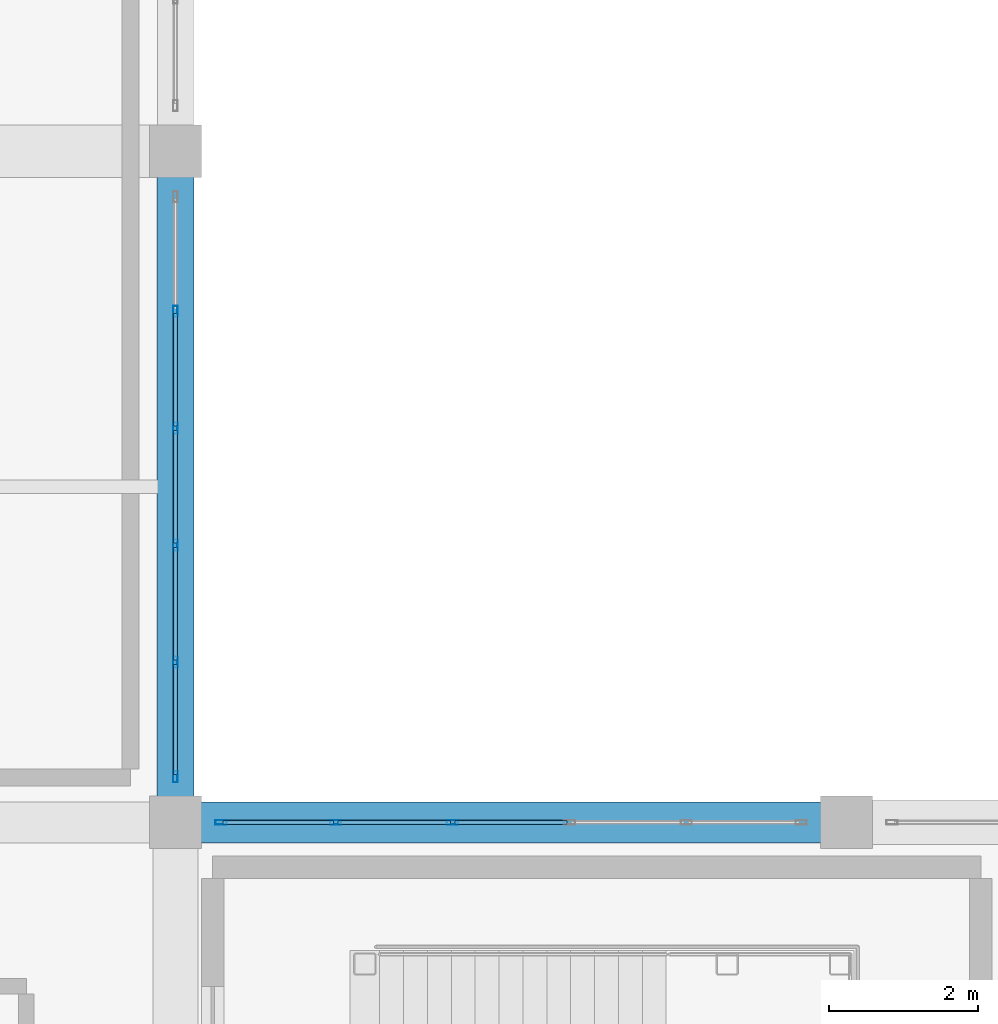
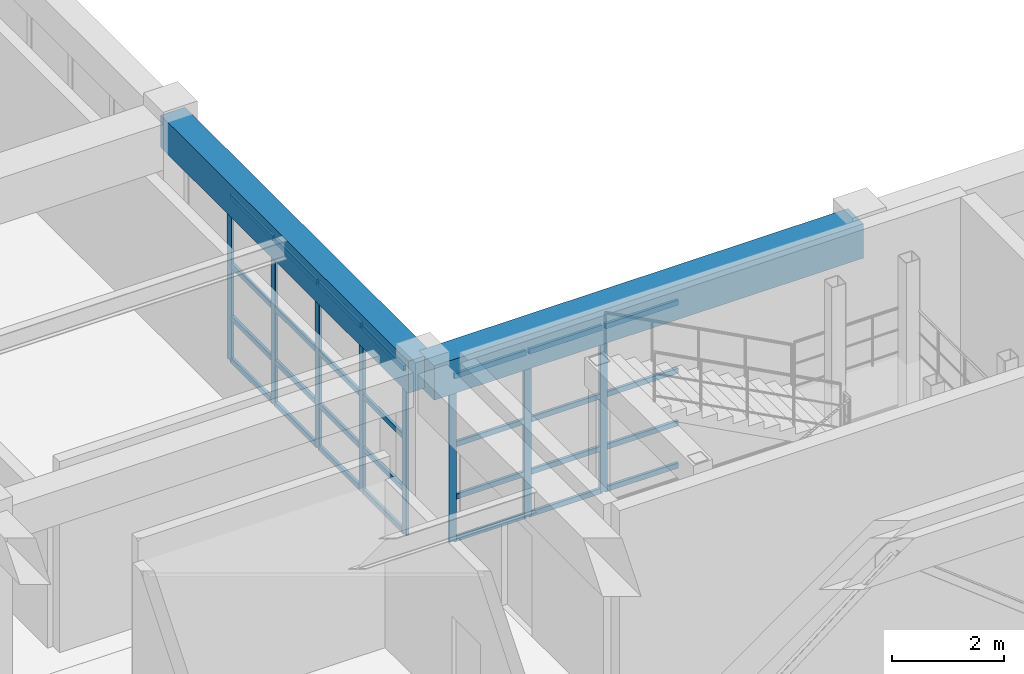
# One storey, part 19 of 133: 36 members, 2 beams, 2 elements without a shape of their own.
"""IFC4 building model written with IfcOpenShell, lengths in metres."""

import ifcopenshell
import ifcopenshell.guid

model = None  # the IFC model being written
_history = None  # IfcOwnerHistory: only IFC2X3 demands one
_inside = {}  # id of a spatial element -> (the spatial element, [elements in it])
_under = {}  # id of a project, library or spatial element -> (it, [spatial elements below it])
_declared = {}  # id of a project -> (the project, [libraries it declares])
_typed = {}  # id of a type object -> (the type object, [elements of that type])
_made_of = {}  # id of a material, layer set ... -> (it, [elements and type objects made of it])


def new_model(schema):
    """Start an empty IFC model of exactly this schema.

    Asked for "IFC4X3", IfcOpenShell would pick the latest addendum, in which some entities
    have other attributes; the version numbers below select the first issue.
    IFC2X3 requires an IfcOwnerHistory on every rooted entity: one is made here for all.
    """
    global model, _history
    if schema == "IFC4X3":
        model = ifcopenshell.file(schema_version=(4, 3, 0, 0))
    else:
        model = ifcopenshell.file(schema=schema)
    _inside.clear()
    _under.clear()
    _declared.clear()
    _typed.clear()
    _made_of.clear()
    _history = None
    if model.schema == "IFC2X3":
        org = make("IfcOrganization", Name="unknown")
        user = make(
            "IfcPersonAndOrganization",
            ThePerson=make("IfcPerson", FamilyName="unknown"),
            TheOrganization=org,
        )
        app = make(
            "IfcApplication",
            ApplicationDeveloper=org,
            Version="unknown",
            ApplicationFullName="unknown",
            ApplicationIdentifier="unknown",
        )
        _history = make(
            "IfcOwnerHistory",
            OwningUser=user,
            OwningApplication=app,
            ChangeAction="ADDED",
            CreationDate=0,
        )
    return model


def make(cls, **values):
    """One entity of the class cls with the attributes given. An attribute that is None is left unset."""
    return model.create_entity(
        cls, **{name: value for name, value in values.items() if value is not None}
    )


def rooted(cls, **values):
    """An entity with a GlobalId (a new one), such as an element, a storey or a relation."""
    return make(cls, GlobalId=ifcopenshell.guid.new(), OwnerHistory=_history, **values)


def si_unit(unit_type, name, prefix=None):
    """IfcSIUnit, for example si_unit("LENGTHUNIT", "METRE", prefix="MILLI")."""
    return make("IfcSIUnit", UnitType=unit_type, Prefix=prefix, Name=name)


def assignment(units):
    """IfcUnitAssignment: the units of a project."""
    return None if units is None else make("IfcUnitAssignment", Units=units)


def point(xyz):
    """IfcCartesianPoint."""
    return None if xyz is None else make("IfcCartesianPoint", Coordinates=xyz)


def direction(xyz):
    """IfcDirection."""
    return None if xyz is None else make("IfcDirection", DirectionRatios=xyz)


def frame(location, z_axis=None, x_axis=None):
    """IfcAxis2Placement3D, a coordinate frame: its origin and axes. An axis left out is left unset."""
    return make(
        "IfcAxis2Placement3D",
        Location=point(location),
        Axis=direction(z_axis),
        RefDirection=direction(x_axis),
    )


def frame_2d(location, x_axis=None):
    """IfcAxis2Placement2D, a coordinate frame in the plane: its origin and x axis."""
    return make(
        "IfcAxis2Placement2D", Location=point(location), RefDirection=direction(x_axis)
    )


def origin():
    """The frame at (0, 0, 0) with its axes left unset."""
    return frame((0.0, 0.0, 0.0))


def origin_2d():
    """The frame at (0, 0) in the plane with its x axis left unset."""
    return frame_2d((0.0, 0.0))


def place(relative_to, where):
    """IfcLocalPlacement: puts the frame where relative to a parent placement (None: the world)."""
    return make(
        "IfcLocalPlacement", PlacementRelTo=relative_to, RelativePlacement=where
    )


def context(
    kind, dimensions, precision=None, world=None, true_north=None, identifier=None
):
    """IfcGeometricRepresentationContext, for example the 3D "Model" context."""
    return make(
        "IfcGeometricRepresentationContext",
        ContextIdentifier=identifier,
        ContextType=kind,
        CoordinateSpaceDimension=dimensions,
        Precision=precision,
        WorldCoordinateSystem=world,
        TrueNorth=true_north,
    )


def subcontext(parent, identifier, kind, view, scale=None):
    """IfcGeometricRepresentationSubContext, for example "Body" below "Model"."""
    return make(
        "IfcGeometricRepresentationSubContext",
        ContextIdentifier=identifier,
        ContextType=kind,
        ParentContext=parent,
        TargetScale=scale,
        TargetView=view,
    )


def project(units=None, contexts=None):
    """IfcProject with its units and contexts."""
    return rooted(
        "IfcProject",
        Name="project",
        RepresentationContexts=contexts,
        UnitsInContext=assignment(units),
    )


def spatial(cls, under=None, at=None, **own):
    """A site, building, storey or space (cls), placed at a placement, below another one or the project."""
    s = rooted(cls, ObjectPlacement=at, **own)
    if under is not None:
        _under.setdefault(under.id(), (under, []))[1].append(s)
    return s


def profile(cls, at=None, kind="AREA", **sizes):
    """A parametric profile (cls). Its sizes go by their IFC names, for example OverallWidth=200.0."""
    return make(cls, ProfileType=kind, Position=at, **sizes)


def rectangle(**sizes):
    """IfcRectangleProfileDef."""
    return profile("IfcRectangleProfileDef", **sizes)


def hollow_rectangle(**sizes):
    """IfcRectangleHollowProfileDef."""
    return profile("IfcRectangleHollowProfileDef", **sizes)


def extrude(swept, where, along, depth):
    """IfcExtrudedAreaSolid: the profile swept, set in the frame where, extruded along a direction by depth."""
    return make(
        "IfcExtrudedAreaSolid",
        SweptArea=swept,
        Position=where,
        ExtrudedDirection=direction(along),
        Depth=depth,
    )


def shape(context_of_items, identifier, shape_type, items):
    """IfcShapeRepresentation: the items that make up one representation, for example the "Body"."""
    return make(
        "IfcShapeRepresentation",
        ContextOfItems=context_of_items,
        RepresentationIdentifier=identifier,
        RepresentationType=shape_type,
        Items=items,
    )


def material(Name=None, Category=None):
    """IfcMaterial."""
    return make("IfcMaterial", Name=Name, Category=Category)


def material_profile(
    of_material, cross_section, Name=None, Category=None, Priority=None
):
    """IfcMaterialProfile: a cross section and its material."""
    return make(
        "IfcMaterialProfile",
        Name=Name,
        Material=of_material,
        Profile=cross_section,
        Priority=Priority,
        Category=Category,
    )


def profile_set(profiles, Name=None, composite=None):
    """IfcMaterialProfileSet."""
    return make(
        "IfcMaterialProfileSet",
        Name=Name,
        MaterialProfiles=profiles,
        CompositeProfile=composite,
    )


def made_of(thing, what):
    """Note that an element or type object is made of a material, layer set ...; save() writes the relation."""
    if what is not None:
        _made_of.setdefault(what.id(), (what, []))[1].append(thing)
    return thing


def type_object(cls, material=None, **own):
    """A type object (cls), such as IfcWallType, which elements share."""
    return made_of(rooted(cls, **own), material)


def element(
    cls,
    number,
    at=None,
    inside=None,
    cuts=None,
    type_object=None,
    material=None,
    context=None,
    identifier="Body",
    shape_type=None,
    held_by="IfcProductDefinitionShape",
    body=None,
    shapes=None,
    **own,
):
    """One element of the class cls, such as IfcWall. Its Tag is "e" and its number.

    at: its placement. inside: the storey or other place that contains it. cuts: it is an
    opening in that element (IfcRelVoidsElement). A single representation is given by context,
    identifier, shape_type and body (its items); several are given by shapes. held_by: the class
    of the entity that holds the representations. save() writes the other relations.
    """
    e = rooted(cls, Tag="e%d" % number, ObjectPlacement=at, **own)
    if body is not None:
        shapes = [shape(context, identifier, shape_type, body)]
    if shapes is not None:
        e.Representation = make(held_by, Representations=shapes)
    if inside is not None:
        _inside.setdefault(inside.id(), (inside, []))[1].append(e)
    if cuts is not None:
        rooted(
            "IfcRelVoidsElement", RelatingBuildingElement=cuts, RelatedOpeningElement=e
        )
    if type_object is not None:
        _typed.setdefault(type_object.id(), (type_object, []))[1].append(e)
    return made_of(e, material)


def aggregate(whole, parts):
    """IfcRelAggregates: a whole, such as a stair, and the parts it consists of."""
    return rooted("IfcRelAggregates", RelatingObject=whole, RelatedObjects=parts)


def save(model, path):
    """Write the relations noted so far, then the file.

    IfcRelAggregates (storeys below a building ...), IfcRelContainedInSpatialStructure (elements
    in a storey), IfcRelDefinesByType, IfcRelAssociatesMaterial and IfcRelDeclares: one each for
    every whole, place, type object, material and project.
    """
    for whole, parts in _under.values():
        aggregate(whole, parts)
    for where, things in _inside.values():
        rooted(
            "IfcRelContainedInSpatialStructure",
            RelatedElements=things,
            RelatingStructure=where,
        )
    for kind, things in _typed.values():
        rooted("IfcRelDefinesByType", RelatedObjects=things, RelatingType=kind)
    for what, things in _made_of.values():
        rooted("IfcRelAssociatesMaterial", RelatedObjects=things, RelatingMaterial=what)
    for by, libraries in _declared.values():
        rooted("IfcRelDeclares", RelatingContext=by, RelatedDefinitions=libraries)
    model.write(path)


model = new_model("IFC4")

# Units and contexts
model_context = context("Model", 3, precision=1e-05, world=origin(), true_north=direction((0.0, 1.0)))
body_context = subcontext(model_context, "Body", "Model", "MODEL_VIEW")
ifc_project = project(units=[si_unit("LENGTHUNIT", "METRE"), si_unit("AREAUNIT", "SQUARE_METRE"), si_unit("VOLUMEUNIT", "CUBIC_METRE"), si_unit("PLANEANGLEUNIT", "RADIAN"), si_unit("MASSUNIT", "GRAM", prefix="KILO")], contexts=[model_context])

# Site, building, storey
site_placement = place(None, origin())
site = spatial("IfcSite", under=ifc_project, at=site_placement, CompositionType="ELEMENT")
building_placement = place(site_placement, origin())
building = spatial("IfcBuilding", under=site, at=building_placement, Name="Miravela Opera House", CompositionType="ELEMENT")
storey_placement = place(building_placement, frame((0.0, 0.0, 5.10009765625)))
storey = spatial("IfcBuildingStorey", under=building, at=storey_placement, Name="L01", CompositionType="ELEMENT", Elevation=5.10009765625)

# Curtain wall, members
ifc_material_1 = material(Name="Anodised architectural bronze aluminium 6063-T6", Category="aluminium")
curtain_wall_type = type_object("IfcCurtainWallType", Name="ARC-CW-06", PredefinedType="NOTDEFINED", material=ifc_material_1)
curtain_wall_1_placement = place(storey_placement, origin())
curtain_wall_1 = element("IfcCurtainWall", 1, at=curtain_wall_1_placement, inside=storey, type_object=curtain_wall_type, Name="Courtyard Arcade Curtain Wall CW-L01-125", PredefinedType="NOTDEFINED")
ifc_material_profile_1 = material_profile(ifc_material_1, hollow_rectangle(XDim=0.06005859375, YDim=0.14990234375, WallThickness=0.00390625, InnerFilletRadius=0.001953125, OuterFilletRadius=0.00390625, at=origin_2d()), Name="CWM-60X150")
ifc_profile_set_1 = profile_set([ifc_material_profile_1])
member_type_1 = type_object("IfcMemberType", Name="ARC-CWM-150", PredefinedType="MULLION", material=ifc_profile_set_1)
member_1_placement = place(storey_placement, frame((27.610107421875, 9.0, 0.0), z_axis=(0.0, 0.0, 1.0), x_axis=(0.0, 1.0, 0.0)))
member_1 = element("IfcMember", 2, at=member_1_placement, type_object=member_type_1, Name="CW-06 mullion 1", PredefinedType="MULLION", context=body_context, shape_type="SweptSolid", body=[
    extrude(hollow_rectangle(XDim=0.06005859375, YDim=0.14990234375, WallThickness=0.00390625, InnerFilletRadius=0.001953125, OuterFilletRadius=0.00390625, at=origin_2d()), origin(), (0.0, 0.0, 1.0), 3.60986328125),
])
member_2_placement = place(storey_placement, frame((29.14794921875, 9.0, 0.0), z_axis=(0.0, 0.0, 1.0), x_axis=(0.0, 1.0, 0.0)))
member_2 = element("IfcMember", 3, at=member_2_placement, type_object=member_type_1, Name="CW-06 mullion 2", PredefinedType="MULLION", context=body_context, shape_type="SweptSolid", body=[
    extrude(hollow_rectangle(XDim=0.06005859375, YDim=0.14990234375, WallThickness=0.00390625, InnerFilletRadius=0.001953125, OuterFilletRadius=0.00390625, at=origin_2d()), origin(), (0.0, 0.0, 1.0), 3.60986328125),
])
member_3_placement = place(storey_placement, frame((30.716064453125, 9.0, 0.0), z_axis=(0.0, 0.0, 1.0), x_axis=(0.0, 1.0, 0.0)))
member_3 = element("IfcMember", 4, at=member_3_placement, type_object=member_type_1, Name="CW-06 mullion 3", PredefinedType="MULLION", context=body_context, shape_type="SweptSolid", body=[
    extrude(hollow_rectangle(XDim=0.06005859375, YDim=0.14990234375, WallThickness=0.00390625, InnerFilletRadius=0.001953125, OuterFilletRadius=0.00390625, at=origin_2d()), origin(), (0.0, 0.0, 1.0), 3.60986328125),
])

curtain_wall_2_placement = place(storey_placement, origin())
curtain_wall_2 = element("IfcCurtainWall", 5, at=curtain_wall_2_placement, inside=storey, type_object=curtain_wall_type, Name="Courtyard Arcade Curtain Wall CW-L01-132", PredefinedType="NOTDEFINED")
member_4_placement = place(storey_placement, frame((27.0, 9.610107421875, 0.0), z_axis=(0.0, 0.0, 1.0), x_axis=(-1.0, 0.0, 0.0)))
member_4 = element("IfcMember", 6, at=member_4_placement, type_object=member_type_1, Name="CW-06 mullion 1", PredefinedType="MULLION", context=body_context, shape_type="SweptSolid", body=[
    extrude(hollow_rectangle(XDim=0.06005859375, YDim=0.14990234375, WallThickness=0.00390625, InnerFilletRadius=0.001953125, OuterFilletRadius=0.00390625, at=origin_2d()), origin(), (0.0, 0.0, 1.0), 3.60986328125),
])
member_5_placement = place(storey_placement, frame((27.0, 11.14794921875, 0.0), z_axis=(0.0, 0.0, 1.0), x_axis=(-1.0, 0.0, 0.0)))
member_5 = element("IfcMember", 7, at=member_5_placement, type_object=member_type_1, Name="CW-06 mullion 2", PredefinedType="MULLION", context=body_context, shape_type="SweptSolid", body=[
    extrude(hollow_rectangle(XDim=0.06005859375, YDim=0.14990234375, WallThickness=0.00390625, InnerFilletRadius=0.001953125, OuterFilletRadius=0.00390625, at=origin_2d()), origin(), (0.0, 0.0, 1.0), 3.60986328125),
])
member_6_placement = place(storey_placement, frame((27.0, 12.716064453125, 0.0), z_axis=(0.0, 0.0, 1.0), x_axis=(-1.0, 0.0, 0.0)))
member_6 = element("IfcMember", 8, at=member_6_placement, type_object=member_type_1, Name="CW-06 mullion 3", PredefinedType="MULLION", context=body_context, shape_type="SweptSolid", body=[
    extrude(hollow_rectangle(XDim=0.06005859375, YDim=0.14990234375, WallThickness=0.00390625, InnerFilletRadius=0.001953125, OuterFilletRadius=0.00390625, at=origin_2d()), origin(), (0.0, 0.0, 1.0), 3.60986328125),
])
member_7_placement = place(storey_placement, frame((27.0, 14.283935546875, 0.0), z_axis=(0.0, 0.0, 1.0), x_axis=(-1.0, 0.0, 0.0)))
member_7 = element("IfcMember", 9, at=member_7_placement, type_object=member_type_1, Name="CW-06 mullion 4", PredefinedType="MULLION", context=body_context, shape_type="SweptSolid", body=[
    extrude(hollow_rectangle(XDim=0.06005859375, YDim=0.14990234375, WallThickness=0.00390625, InnerFilletRadius=0.001953125, OuterFilletRadius=0.00390625, at=origin_2d()), origin(), (0.0, 0.0, 1.0), 3.60986328125),
])
member_8_placement = place(storey_placement, frame((27.0, 15.85205078125, 0.0), z_axis=(0.0, 0.0, 1.0), x_axis=(-1.0, 0.0, 0.0)))
member_8 = element("IfcMember", 10, at=member_8_placement, type_object=member_type_1, Name="CW-06 mullion 5", PredefinedType="MULLION", context=body_context, shape_type="SweptSolid", body=[
    extrude(hollow_rectangle(XDim=0.06005859375, YDim=0.14990234375, WallThickness=0.00390625, InnerFilletRadius=0.001953125, OuterFilletRadius=0.00390625, at=origin_2d()), origin(), (0.0, 0.0, 1.0), 3.60986328125),
])

# Member
ifc_material_profile_2 = material_profile(ifc_material_1, hollow_rectangle(XDim=0.06005859375, YDim=0.114990234375, WallThickness=0.00390625, InnerFilletRadius=0.001953125, OuterFilletRadius=0.00390625, at=origin_2d()), Name="CWT-60X115")
ifc_profile_set_2 = profile_set([ifc_material_profile_2])
member_type_2 = type_object("IfcMemberType", Name="ARC-CWT-115", PredefinedType="USERDEFINED", material=ifc_profile_set_2)
member_9_placement = place(storey_placement, frame((27.639892578125, 9.0, 0.02978515625), z_axis=(1.0, 0.0, 0.0), x_axis=(0.0, 1.0, 0.0)))
member_9 = element("IfcMember", 11, at=member_9_placement, type_object=member_type_2, Name="CW-06 transom 1.1", ObjectType="TRANSOM", PredefinedType="USERDEFINED", context=body_context, shape_type="SweptSolid", body=[
    extrude(hollow_rectangle(XDim=0.06005859375, YDim=0.114990234375, WallThickness=0.00390625, InnerFilletRadius=0.001953125, OuterFilletRadius=0.00390625, at=origin_2d()), origin(), (0.0, 0.0, 1.0), 1.47802734375),
])

member_10_placement = place(storey_placement, frame((27.639892578125, 9.0, 0.949951171875), z_axis=(1.0, 0.0, 0.0), x_axis=(0.0, 1.0, 0.0)))
member_10 = element("IfcMember", 12, at=member_10_placement, type_object=member_type_2, Name="CW-06 transom 1.2", ObjectType="TRANSOM", PredefinedType="USERDEFINED", context=body_context, shape_type="SweptSolid", body=[
    extrude(hollow_rectangle(XDim=0.06005859375, YDim=0.114990234375, WallThickness=0.00390625, InnerFilletRadius=0.001953125, OuterFilletRadius=0.00390625, at=origin_2d()), origin(), (0.0, 0.0, 1.0), 1.47802734375),
])

member_11_placement = place(storey_placement, frame((27.639892578125, 9.0, 2.09375), z_axis=(1.0, 0.0, 0.0), x_axis=(0.0, 1.0, 0.0)))
member_11 = element("IfcMember", 13, at=member_11_placement, type_object=member_type_2, Name="CW-06 transom 1.3", ObjectType="TRANSOM", PredefinedType="USERDEFINED", context=body_context, shape_type="SweptSolid", body=[
    extrude(hollow_rectangle(XDim=0.06005859375, YDim=0.114990234375, WallThickness=0.00390625, InnerFilletRadius=0.001953125, OuterFilletRadius=0.00390625, at=origin_2d()), origin(), (0.0, 0.0, 1.0), 1.47802734375),
])

member_12_placement = place(storey_placement, frame((27.639892578125, 9.0, 3.579833984375), z_axis=(1.0, 0.0, 0.0), x_axis=(0.0, 1.0, 0.0)))
member_12 = element("IfcMember", 14, at=member_12_placement, type_object=member_type_2, Name="CW-06 transom 1.4", ObjectType="TRANSOM", PredefinedType="USERDEFINED", context=body_context, shape_type="SweptSolid", body=[
    extrude(hollow_rectangle(XDim=0.06005859375, YDim=0.114990234375, WallThickness=0.00390625, InnerFilletRadius=0.001953125, OuterFilletRadius=0.00390625, at=origin_2d()), origin(), (0.0, 0.0, 1.0), 1.47802734375),
])

member_13_placement = place(storey_placement, frame((29.177978515625, 9.0, 0.02978515625), z_axis=(1.0, 0.0, 0.0), x_axis=(0.0, 1.0, 0.0)))
member_13 = element("IfcMember", 15, at=member_13_placement, type_object=member_type_2, Name="CW-06 transom 2.1", ObjectType="TRANSOM", PredefinedType="USERDEFINED", context=body_context, shape_type="SweptSolid", body=[
    extrude(hollow_rectangle(XDim=0.06005859375, YDim=0.114990234375, WallThickness=0.00390625, InnerFilletRadius=0.001953125, OuterFilletRadius=0.00390625, at=origin_2d()), origin(), (0.0, 0.0, 1.0), 1.508056640625),
])

member_14_placement = place(storey_placement, frame((29.177978515625, 9.0, 0.949951171875), z_axis=(1.0, 0.0, 0.0), x_axis=(0.0, 1.0, 0.0)))
member_14 = element("IfcMember", 16, at=member_14_placement, type_object=member_type_2, Name="CW-06 transom 2.2", ObjectType="TRANSOM", PredefinedType="USERDEFINED", context=body_context, shape_type="SweptSolid", body=[
    extrude(hollow_rectangle(XDim=0.06005859375, YDim=0.114990234375, WallThickness=0.00390625, InnerFilletRadius=0.001953125, OuterFilletRadius=0.00390625, at=origin_2d()), origin(), (0.0, 0.0, 1.0), 1.508056640625),
])

member_15_placement = place(storey_placement, frame((29.177978515625, 9.0, 2.09375), z_axis=(1.0, 0.0, 0.0), x_axis=(0.0, 1.0, 0.0)))
member_15 = element("IfcMember", 17, at=member_15_placement, type_object=member_type_2, Name="CW-06 transom 2.3", ObjectType="TRANSOM", PredefinedType="USERDEFINED", context=body_context, shape_type="SweptSolid", body=[
    extrude(hollow_rectangle(XDim=0.06005859375, YDim=0.114990234375, WallThickness=0.00390625, InnerFilletRadius=0.001953125, OuterFilletRadius=0.00390625, at=origin_2d()), origin(), (0.0, 0.0, 1.0), 1.508056640625),
])

member_16_placement = place(storey_placement, frame((29.177978515625, 9.0, 3.579833984375), z_axis=(1.0, 0.0, 0.0), x_axis=(0.0, 1.0, 0.0)))
member_16 = element("IfcMember", 18, at=member_16_placement, type_object=member_type_2, Name="CW-06 transom 2.4", ObjectType="TRANSOM", PredefinedType="USERDEFINED", context=body_context, shape_type="SweptSolid", body=[
    extrude(hollow_rectangle(XDim=0.06005859375, YDim=0.114990234375, WallThickness=0.00390625, InnerFilletRadius=0.001953125, OuterFilletRadius=0.00390625, at=origin_2d()), origin(), (0.0, 0.0, 1.0), 1.508056640625),
])

member_17_placement = place(storey_placement, frame((30.74609375, 9.0, 0.02978515625), z_axis=(1.0, 0.0, 0.0), x_axis=(0.0, 1.0, 0.0)))
member_17 = element("IfcMember", 19, at=member_17_placement, type_object=member_type_2, Name="CW-06 transom 3.1", ObjectType="TRANSOM", PredefinedType="USERDEFINED", context=body_context, shape_type="SweptSolid", body=[
    extrude(hollow_rectangle(XDim=0.06005859375, YDim=0.114990234375, WallThickness=0.00390625, InnerFilletRadius=0.001953125, OuterFilletRadius=0.00390625, at=origin_2d()), origin(), (0.0, 0.0, 1.0), 1.5078125),
])

member_18_placement = place(storey_placement, frame((30.74609375, 9.0, 0.949951171875), z_axis=(1.0, 0.0, 0.0), x_axis=(0.0, 1.0, 0.0)))
member_18 = element("IfcMember", 20, at=member_18_placement, type_object=member_type_2, Name="CW-06 transom 3.2", ObjectType="TRANSOM", PredefinedType="USERDEFINED", context=body_context, shape_type="SweptSolid", body=[
    extrude(hollow_rectangle(XDim=0.06005859375, YDim=0.114990234375, WallThickness=0.00390625, InnerFilletRadius=0.001953125, OuterFilletRadius=0.00390625, at=origin_2d()), origin(), (0.0, 0.0, 1.0), 1.5078125),
])

member_19_placement = place(storey_placement, frame((30.74609375, 9.0, 2.09375), z_axis=(1.0, 0.0, 0.0), x_axis=(0.0, 1.0, 0.0)))
member_19 = element("IfcMember", 21, at=member_19_placement, type_object=member_type_2, Name="CW-06 transom 3.3", ObjectType="TRANSOM", PredefinedType="USERDEFINED", context=body_context, shape_type="SweptSolid", body=[
    extrude(hollow_rectangle(XDim=0.06005859375, YDim=0.114990234375, WallThickness=0.00390625, InnerFilletRadius=0.001953125, OuterFilletRadius=0.00390625, at=origin_2d()), origin(), (0.0, 0.0, 1.0), 1.5078125),
])

member_20_placement = place(storey_placement, frame((30.74609375, 9.0, 3.579833984375), z_axis=(1.0, 0.0, 0.0), x_axis=(0.0, 1.0, 0.0)))
member_20 = element("IfcMember", 22, at=member_20_placement, type_object=member_type_2, Name="CW-06 transom 3.4", ObjectType="TRANSOM", PredefinedType="USERDEFINED", context=body_context, shape_type="SweptSolid", body=[
    extrude(hollow_rectangle(XDim=0.06005859375, YDim=0.114990234375, WallThickness=0.00390625, InnerFilletRadius=0.001953125, OuterFilletRadius=0.00390625, at=origin_2d()), origin(), (0.0, 0.0, 1.0), 1.5078125),
])

aggregate(curtain_wall_1, [member_1, member_2, member_3, member_9, member_10, member_11, member_12, member_13, member_14, member_15, member_16, member_17, member_18, member_19, member_20])

member_21_placement = place(storey_placement, frame((27.0, 9.639892578125, 0.02978515625), z_axis=(0.0, 1.0, 0.0), x_axis=(-1.0, 0.0, 0.0)))
member_21 = element("IfcMember", 23, at=member_21_placement, type_object=member_type_2, Name="CW-06 transom 1.1", ObjectType="TRANSOM", PredefinedType="USERDEFINED", context=body_context, shape_type="SweptSolid", body=[
    extrude(hollow_rectangle(XDim=0.06005859375, YDim=0.114990234375, WallThickness=0.00390625, InnerFilletRadius=0.001953125, OuterFilletRadius=0.00390625, at=origin_2d()), origin(), (0.0, 0.0, 1.0), 1.47802734375),
])

member_22_placement = place(storey_placement, frame((27.0, 9.639892578125, 0.949951171875), z_axis=(0.0, 1.0, 0.0), x_axis=(-1.0, 0.0, 0.0)))
member_22 = element("IfcMember", 24, at=member_22_placement, type_object=member_type_2, Name="CW-06 transom 1.2", ObjectType="TRANSOM", PredefinedType="USERDEFINED", context=body_context, shape_type="SweptSolid", body=[
    extrude(hollow_rectangle(XDim=0.06005859375, YDim=0.114990234375, WallThickness=0.00390625, InnerFilletRadius=0.001953125, OuterFilletRadius=0.00390625, at=origin_2d()), origin(), (0.0, 0.0, 1.0), 1.47802734375),
])

member_23_placement = place(storey_placement, frame((27.0, 9.639892578125, 2.09375), z_axis=(0.0, 1.0, 0.0), x_axis=(-1.0, 0.0, 0.0)))
member_23 = element("IfcMember", 25, at=member_23_placement, type_object=member_type_2, Name="CW-06 transom 1.3", ObjectType="TRANSOM", PredefinedType="USERDEFINED", context=body_context, shape_type="SweptSolid", body=[
    extrude(hollow_rectangle(XDim=0.06005859375, YDim=0.114990234375, WallThickness=0.00390625, InnerFilletRadius=0.001953125, OuterFilletRadius=0.00390625, at=origin_2d()), origin(), (0.0, 0.0, 1.0), 1.47802734375),
])

member_24_placement = place(storey_placement, frame((27.0, 9.639892578125, 3.579833984375), z_axis=(0.0, 1.0, 0.0), x_axis=(-1.0, 0.0, 0.0)))
member_24 = element("IfcMember", 26, at=member_24_placement, type_object=member_type_2, Name="CW-06 transom 1.4", ObjectType="TRANSOM", PredefinedType="USERDEFINED", context=body_context, shape_type="SweptSolid", body=[
    extrude(hollow_rectangle(XDim=0.06005859375, YDim=0.114990234375, WallThickness=0.00390625, InnerFilletRadius=0.001953125, OuterFilletRadius=0.00390625, at=origin_2d()), origin(), (0.0, 0.0, 1.0), 1.47802734375),
])

member_25_placement = place(storey_placement, frame((27.0, 11.177978515625, 0.02978515625), z_axis=(0.0, 1.0, 0.0), x_axis=(-1.0, 0.0, 0.0)))
member_25 = element("IfcMember", 27, at=member_25_placement, type_object=member_type_2, Name="CW-06 transom 2.1", ObjectType="TRANSOM", PredefinedType="USERDEFINED", context=body_context, shape_type="SweptSolid", body=[
    extrude(hollow_rectangle(XDim=0.06005859375, YDim=0.114990234375, WallThickness=0.00390625, InnerFilletRadius=0.001953125, OuterFilletRadius=0.00390625, at=origin_2d()), origin(), (0.0, 0.0, 1.0), 1.508056640625),
])

member_26_placement = place(storey_placement, frame((27.0, 11.177978515625, 0.949951171875), z_axis=(0.0, 1.0, 0.0), x_axis=(-1.0, 0.0, 0.0)))
member_26 = element("IfcMember", 28, at=member_26_placement, type_object=member_type_2, Name="CW-06 transom 2.2", ObjectType="TRANSOM", PredefinedType="USERDEFINED", context=body_context, shape_type="SweptSolid", body=[
    extrude(hollow_rectangle(XDim=0.06005859375, YDim=0.114990234375, WallThickness=0.00390625, InnerFilletRadius=0.001953125, OuterFilletRadius=0.00390625, at=origin_2d()), origin(), (0.0, 0.0, 1.0), 1.508056640625),
])

member_27_placement = place(storey_placement, frame((27.0, 11.177978515625, 2.09375), z_axis=(0.0, 1.0, 0.0), x_axis=(-1.0, 0.0, 0.0)))
member_27 = element("IfcMember", 29, at=member_27_placement, type_object=member_type_2, Name="CW-06 transom 2.3", ObjectType="TRANSOM", PredefinedType="USERDEFINED", context=body_context, shape_type="SweptSolid", body=[
    extrude(hollow_rectangle(XDim=0.06005859375, YDim=0.114990234375, WallThickness=0.00390625, InnerFilletRadius=0.001953125, OuterFilletRadius=0.00390625, at=origin_2d()), origin(), (0.0, 0.0, 1.0), 1.508056640625),
])

member_28_placement = place(storey_placement, frame((27.0, 11.177978515625, 3.579833984375), z_axis=(0.0, 1.0, 0.0), x_axis=(-1.0, 0.0, 0.0)))
member_28 = element("IfcMember", 30, at=member_28_placement, type_object=member_type_2, Name="CW-06 transom 2.4", ObjectType="TRANSOM", PredefinedType="USERDEFINED", context=body_context, shape_type="SweptSolid", body=[
    extrude(hollow_rectangle(XDim=0.06005859375, YDim=0.114990234375, WallThickness=0.00390625, InnerFilletRadius=0.001953125, OuterFilletRadius=0.00390625, at=origin_2d()), origin(), (0.0, 0.0, 1.0), 1.508056640625),
])

member_29_placement = place(storey_placement, frame((27.0, 12.74609375, 0.02978515625), z_axis=(0.0, 1.0, 0.0), x_axis=(-1.0, 0.0, 0.0)))
member_29 = element("IfcMember", 31, at=member_29_placement, type_object=member_type_2, Name="CW-06 transom 3.1", ObjectType="TRANSOM", PredefinedType="USERDEFINED", context=body_context, shape_type="SweptSolid", body=[
    extrude(hollow_rectangle(XDim=0.06005859375, YDim=0.114990234375, WallThickness=0.00390625, InnerFilletRadius=0.001953125, OuterFilletRadius=0.00390625, at=origin_2d()), origin(), (0.0, 0.0, 1.0), 1.5078125),
])

member_30_placement = place(storey_placement, frame((27.0, 12.74609375, 0.949951171875), z_axis=(0.0, 1.0, 0.0), x_axis=(-1.0, 0.0, 0.0)))
member_30 = element("IfcMember", 32, at=member_30_placement, type_object=member_type_2, Name="CW-06 transom 3.2", ObjectType="TRANSOM", PredefinedType="USERDEFINED", context=body_context, shape_type="SweptSolid", body=[
    extrude(hollow_rectangle(XDim=0.06005859375, YDim=0.114990234375, WallThickness=0.00390625, InnerFilletRadius=0.001953125, OuterFilletRadius=0.00390625, at=origin_2d()), origin(), (0.0, 0.0, 1.0), 1.5078125),
])

member_31_placement = place(storey_placement, frame((27.0, 12.74609375, 2.09375), z_axis=(0.0, 1.0, 0.0), x_axis=(-1.0, 0.0, 0.0)))
member_31 = element("IfcMember", 33, at=member_31_placement, type_object=member_type_2, Name="CW-06 transom 3.3", ObjectType="TRANSOM", PredefinedType="USERDEFINED", context=body_context, shape_type="SweptSolid", body=[
    extrude(hollow_rectangle(XDim=0.06005859375, YDim=0.114990234375, WallThickness=0.00390625, InnerFilletRadius=0.001953125, OuterFilletRadius=0.00390625, at=origin_2d()), origin(), (0.0, 0.0, 1.0), 1.5078125),
])

member_32_placement = place(storey_placement, frame((27.0, 12.74609375, 3.579833984375), z_axis=(0.0, 1.0, 0.0), x_axis=(-1.0, 0.0, 0.0)))
member_32 = element("IfcMember", 34, at=member_32_placement, type_object=member_type_2, Name="CW-06 transom 3.4", ObjectType="TRANSOM", PredefinedType="USERDEFINED", context=body_context, shape_type="SweptSolid", body=[
    extrude(hollow_rectangle(XDim=0.06005859375, YDim=0.114990234375, WallThickness=0.00390625, InnerFilletRadius=0.001953125, OuterFilletRadius=0.00390625, at=origin_2d()), origin(), (0.0, 0.0, 1.0), 1.5078125),
])

member_33_placement = place(storey_placement, frame((27.0, 14.31396484375, 0.02978515625), z_axis=(0.0, 1.0, 0.0), x_axis=(-1.0, 0.0, 0.0)))
member_33 = element("IfcMember", 35, at=member_33_placement, type_object=member_type_2, Name="CW-06 transom 4.1", ObjectType="TRANSOM", PredefinedType="USERDEFINED", context=body_context, shape_type="SweptSolid", body=[
    extrude(hollow_rectangle(XDim=0.06005859375, YDim=0.114990234375, WallThickness=0.00390625, InnerFilletRadius=0.001953125, OuterFilletRadius=0.00390625, at=origin_2d()), origin(), (0.0, 0.0, 1.0), 1.508056640625),
])

member_34_placement = place(storey_placement, frame((27.0, 14.31396484375, 0.949951171875), z_axis=(0.0, 1.0, 0.0), x_axis=(-1.0, 0.0, 0.0)))
member_34 = element("IfcMember", 36, at=member_34_placement, type_object=member_type_2, Name="CW-06 transom 4.2", ObjectType="TRANSOM", PredefinedType="USERDEFINED", context=body_context, shape_type="SweptSolid", body=[
    extrude(hollow_rectangle(XDim=0.06005859375, YDim=0.114990234375, WallThickness=0.00390625, InnerFilletRadius=0.001953125, OuterFilletRadius=0.00390625, at=origin_2d()), origin(), (0.0, 0.0, 1.0), 1.508056640625),
])

member_35_placement = place(storey_placement, frame((27.0, 14.31396484375, 2.09375), z_axis=(0.0, 1.0, 0.0), x_axis=(-1.0, 0.0, 0.0)))
member_35 = element("IfcMember", 37, at=member_35_placement, type_object=member_type_2, Name="CW-06 transom 4.3", ObjectType="TRANSOM", PredefinedType="USERDEFINED", context=body_context, shape_type="SweptSolid", body=[
    extrude(hollow_rectangle(XDim=0.06005859375, YDim=0.114990234375, WallThickness=0.00390625, InnerFilletRadius=0.001953125, OuterFilletRadius=0.00390625, at=origin_2d()), origin(), (0.0, 0.0, 1.0), 1.508056640625),
])

member_36_placement = place(storey_placement, frame((27.0, 14.31396484375, 3.579833984375), z_axis=(0.0, 1.0, 0.0), x_axis=(-1.0, 0.0, 0.0)))
member_36 = element("IfcMember", 38, at=member_36_placement, type_object=member_type_2, Name="CW-06 transom 4.4", ObjectType="TRANSOM", PredefinedType="USERDEFINED", context=body_context, shape_type="SweptSolid", body=[
    extrude(hollow_rectangle(XDim=0.06005859375, YDim=0.114990234375, WallThickness=0.00390625, InnerFilletRadius=0.001953125, OuterFilletRadius=0.00390625, at=origin_2d()), origin(), (0.0, 0.0, 1.0), 1.508056640625),
])

aggregate(curtain_wall_2, [member_4, member_5, member_6, member_7, member_8, member_21, member_22, member_23, member_24, member_25, member_26, member_27, member_28, member_29, member_30, member_31, member_32, member_33, member_34, member_35, member_36])

# Beams
ifc_material_2 = material(Name="Concrete C35/45", Category="concrete")
ifc_material_profile_3 = material_profile(ifc_material_2, rectangle(XDim=0.5, YDim=0.699951171875, at=origin_2d()), Name="RC-BM-500X700")
ifc_profile_set_3 = profile_set([ifc_material_profile_3])
beam_type_1 = type_object("IfcBeamType", Name="STR-BM-RC500X700", PredefinedType="BEAM", material=ifc_profile_set_3)
beam_1_placement = place(storey_placement, frame((27.0, 9.080078125, 3.809814453125), z_axis=(0.0, 1.0, 0.0), x_axis=(-1.0, 0.0, 0.0)))
element("IfcBeam", 39, at=beam_1_placement, inside=storey, type_object=beam_type_1, Name="Floor Girder L01 4/B-C", PredefinedType="BEAM", context=body_context, shape_type="SweptSolid", body=[
    extrude(rectangle(XDim=0.5, YDim=0.699951171875, at=origin_2d()), origin(), (0.0, 0.0, 1.0), 8.83984375),
])
ifc_material_profile_4 = material_profile(ifc_material_2, rectangle(XDim=0.550048828125, YDim=0.75, at=origin_2d()), Name="RC-BM-550X750")
ifc_profile_set_4 = profile_set([ifc_material_profile_4])
beam_type_2 = type_object("IfcBeamType", Name="STR-BM-RC550X750", PredefinedType="BEAM", material=ifc_profile_set_4)
beam_2_placement = place(storey_placement, frame((27.080078125, 9.0, 3.784912109375), z_axis=(1.0, 0.0, 0.0), x_axis=(0.0, 1.0, 0.0)))
element("IfcBeam", 40, at=beam_2_placement, inside=storey, type_object=beam_type_2, Name="Floor Girder L01 4-5/B", PredefinedType="BEAM", context=body_context, shape_type="SweptSolid", body=[
    extrude(rectangle(XDim=0.550048828125, YDim=0.75, at=origin_2d()), origin(), (0.0, 0.0, 1.0), 8.83984375),
])

save(model, "model.ifc")
